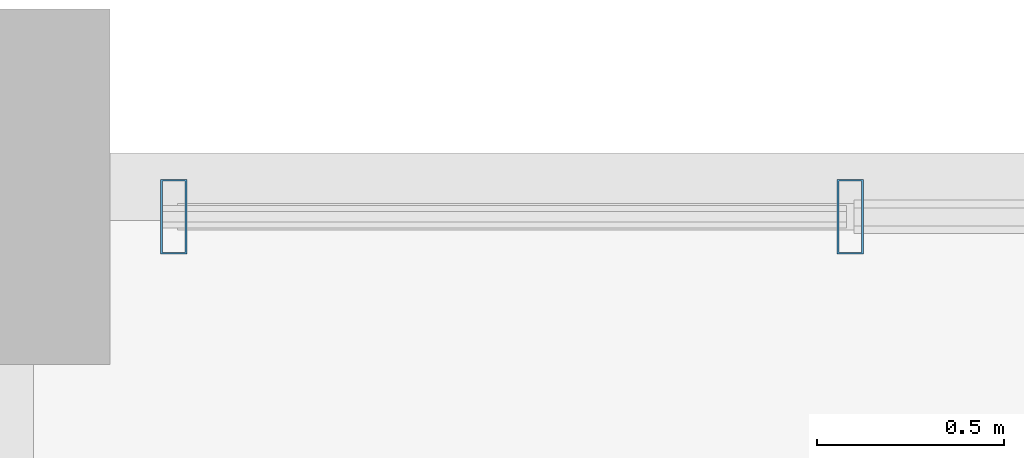
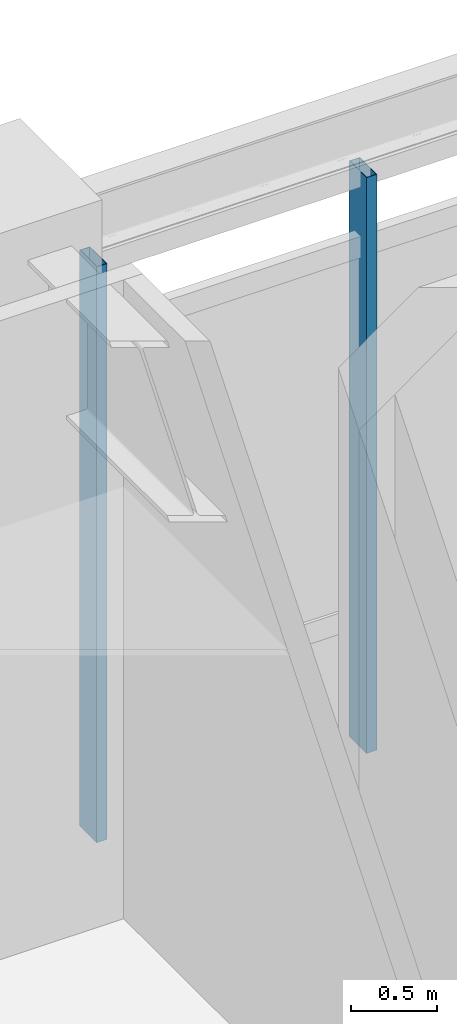
# One storey, part 104 of 200: 2 members, 1 element without a shape of its own.
"""IFC4 building model written with IfcOpenShell, lengths in metres."""

from ifc_helpers import new_model, si_unit, direction, frame, origin, origin_2d, place, context, subcontext, project, spatial, hollow_rectangle, extrude, material, material_profile, profile_set, type_object, element, aggregate, save


model = new_model("IFC4")

# Units and contexts
model_context = context("Model", 3, precision=1e-05, world=origin(), true_north=direction((0.0, 1.0)))
body_context = subcontext(model_context, "Body", "Model", "MODEL_VIEW")
ifc_project = project(units=[si_unit("LENGTHUNIT", "METRE"), si_unit("AREAUNIT", "SQUARE_METRE"), si_unit("VOLUMEUNIT", "CUBIC_METRE"), si_unit("PLANEANGLEUNIT", "RADIAN"), si_unit("MASSUNIT", "GRAM", prefix="KILO"), si_unit("THERMODYNAMICTEMPERATUREUNIT", "KELVIN"), si_unit("POWERUNIT", "WATT")], contexts=[model_context])

# Site, building, storey
site_placement = place(None, origin())
site = spatial("IfcSite", under=ifc_project, at=site_placement, CompositionType="ELEMENT")
building_placement = place(site_placement, origin())
building = spatial("IfcBuilding", under=site, at=building_placement, Name="Tepalcoro Natatorium and Aquatics Centre", CompositionType="ELEMENT")
storey_placement = place(building_placement, frame((0.0, 0.0, 5.39990234375)))
storey = spatial("IfcBuildingStorey", under=building, at=storey_placement, Name="L01", CompositionType="ELEMENT", Elevation=5.39990234375)

# Curtain wall, members
ifc_material = material(Name="Bronze-Anodised Extruded Aluminium Alloy EN AW-6063 T6", Category="aluminium")
curtain_wall_type = type_object("IfcCurtainWallType", Name="CW_LEAN_T2_EW", PredefinedType="USERDEFINED", material=ifc_material)
curtain_wall_placement = place(storey_placement, origin())
curtain_wall = element("IfcCurtainWall", 1, at=curtain_wall_placement, inside=storey, type_object=curtain_wall_type, Name="V5 L01 N Unitised Curtain Wall Bay 4", ObjectType="FACETED SOLAR GLAZING", PredefinedType="USERDEFINED")
ifc_material_profile = material_profile(ifc_material, hollow_rectangle(XDim=0.070068359375, YDim=0.199951171875, WallThickness=0.0048828125, at=origin_2d()), Name="AL70X200X5")
ifc_profile_set = profile_set([ifc_material_profile], Name="Bronze-Anodised Extruded Aluminium Alloy EN AW-6063 T6")
member_type = type_object("IfcMemberType", Name="CW_MUL_70x200", PredefinedType="MULLION", material=ifc_profile_set)
member_1_placement = place(storey_placement, frame((125.52001953125, 117.919921875, 0.02001953125), z_axis=(0.0, 0.0, 1.0), x_axis=(1.0, 0.0, 0.0)))
member_1 = element("IfcMember", 2, at=member_1_placement, type_object=member_type, Name="CW_LEAN_T2_EW Curtain Wall Mullion", PredefinedType="MULLION", context=body_context, shape_type="SweptSolid", body=[
    extrude(hollow_rectangle(XDim=0.070068359375, YDim=0.199951171875, WallThickness=0.0048828125, at=origin_2d()), origin(), (0.0, 0.0, 1.0), 4.0771484375),
])
member_2_placement = place(storey_placement, frame((127.32666015625, 117.919921875, 0.02001953125), z_axis=(0.0, 0.0, 1.0), x_axis=(1.0, 0.0, 0.0)))
member_2 = element("IfcMember", 3, at=member_2_placement, type_object=member_type, Name="CW_LEAN_T2_EW Curtain Wall Mullion", PredefinedType="MULLION", context=body_context, shape_type="SweptSolid", body=[
    extrude(hollow_rectangle(XDim=0.070068359375, YDim=0.199951171875, WallThickness=0.0048828125, at=origin_2d()), origin(), (0.0, 0.0, 1.0), 4.0771484375),
])
aggregate(curtain_wall, [member_1, member_2])

save(model, "model.ifc")
